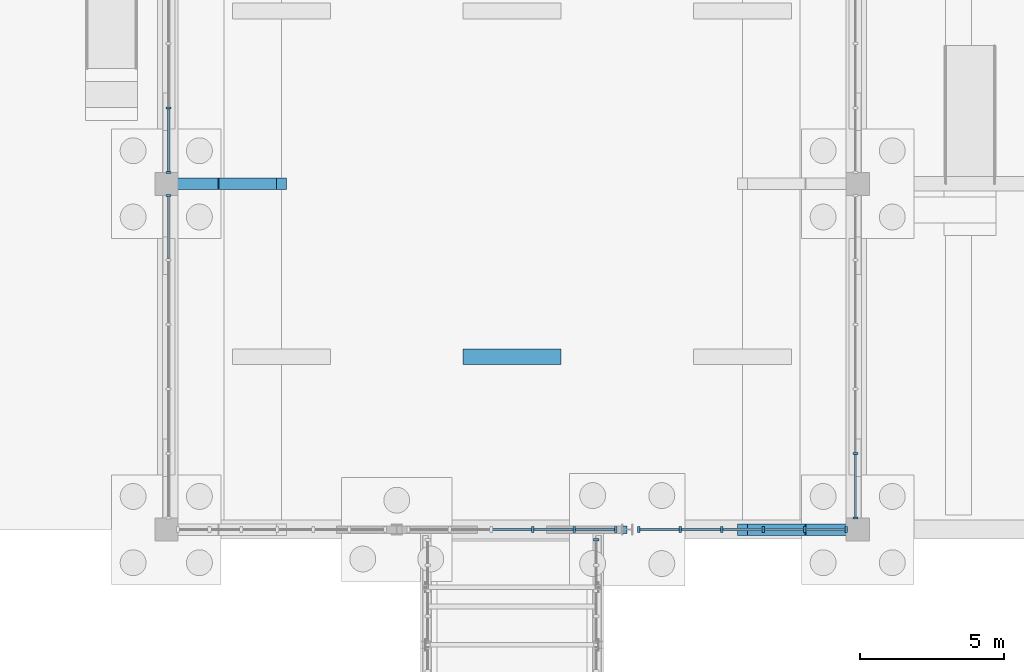
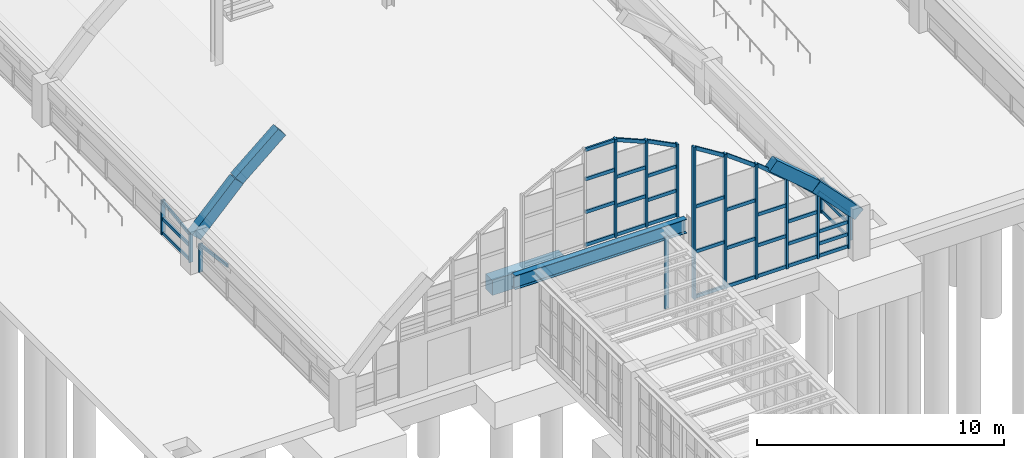
# One storey, part 35 of 129: 54 members, 6 beams, 6 elements without a shape of their own.
"""IFC4 building model written with IfcOpenShell, lengths in metres."""

from ifc_helpers import new_model, si_unit, direction, frame, origin, origin_2d, place, context, subcontext, project, spatial, rectangle, i_section, extrude, material, layer, layer_set, material_profile, profile_set, type_object, element, aggregate, save


model = new_model("IFC4")

# Units and contexts
model_context = context("Model", 3, precision=1e-05, world=origin(), true_north=direction((0.0, 1.0)))
body_context = subcontext(model_context, "Body", "Model", "MODEL_VIEW")
ifc_project = project(units=[si_unit("LENGTHUNIT", "METRE"), si_unit("AREAUNIT", "SQUARE_METRE"), si_unit("VOLUMEUNIT", "CUBIC_METRE"), si_unit("PLANEANGLEUNIT", "RADIAN"), si_unit("MASSUNIT", "GRAM", prefix="KILO")], contexts=[model_context])

# Site, building, storey
site_placement = place(None, origin())
site = spatial("IfcSite", under=ifc_project, at=site_placement, CompositionType="ELEMENT")
building_placement = place(site_placement, origin())
building = spatial("IfcBuilding", under=site, at=building_placement, Name="Sitalva Quay Ferry Terminal", CompositionType="ELEMENT")
storey_placement = place(building_placement, origin())
storey = spatial("IfcBuildingStorey", under=building, at=storey_placement, Name="L01", CompositionType="ELEMENT", Elevation=0.0)

# Beams
ifc_material_1 = material(Name="Concrete C40/50", Category="concrete")
ifc_material_profile_1 = material_profile(ifc_material_1, rectangle(XDim=0.39990234375, YDim=0.550048828125, at=origin_2d()), Name="RC400x550")
ifc_profile_set_1 = profile_set([ifc_material_profile_1], Name="Concrete C40/50")
beam_type_1 = type_object("IfcBeamType", Name="Beam_Arch_RC400x550", PredefinedType="BEAM", material=ifc_profile_set_1)
beam_1_placement = place(storey_placement, frame((28.0, 6.0, 5.392822265625), z_axis=(0.761351968138, 0.0, -0.648338785368), x_axis=(0.0, 1.0, 0.0)))
element("IfcBeam", 1, at=beam_1_placement, inside=storey, type_object=beam_type_1, Name="Vault V2 transverse arch rib 1.11", PredefinedType="BEAM", context=body_context, shape_type="SweptSolid", body=[
    extrude(rectangle(XDim=0.39990234375, YDim=0.550048828125, at=origin_2d()), origin(), (0.0, 0.0, 1.0), 2.626953125),
])
for number, where, z_axis, x_axis, name in (
    (2, (30.0, 6.0, 3.66943359375), (0.693983482825, 0.0, -0.719990920475), (0.0, 1.0, 0.0), "Vault V2 transverse arch rib 1.12"),
    (3, (8.0, 18.0, 1.594482421875), (0.693983482825, 0.0, 0.719990920475), (0.0, 1.0, 0.0), "Vault V2 transverse arch rib 2.1"),
):
    element("IfcBeam", number, at=place(storey_placement, frame(where, z_axis=z_axis, x_axis=x_axis)), inside=storey, type_object=beam_type_1, Name=name, PredefinedType="BEAM", context=body_context, shape_type="SweptSolid", body=[
        extrude(rectangle(XDim=0.39990234375, YDim=0.550048828125, at=origin_2d()), origin(), (0.0, 0.0, 1.0), 2.8818359375),
    ])
beam_2_placement = place(storey_placement, frame((10.0, 18.0, 3.689697265625), z_axis=(0.761351968138, 0.0, 0.648338785368), x_axis=(0.0, 1.0, 0.0)))
element("IfcBeam", 4, at=beam_2_placement, inside=storey, type_object=beam_type_1, Name="Vault V2 transverse arch rib 2.2", PredefinedType="BEAM", context=body_context, shape_type="SweptSolid", body=[
    extrude(rectangle(XDim=0.39990234375, YDim=0.550048828125, at=origin_2d()), origin(), (0.0, 0.0, 1.0), 2.626953125),
])
ifc_material_2 = material(Name="Structural Steel S355JR", Category="steel")
ifc_material_profile_2 = material_profile(ifc_material_2, i_section(OverallWidth=0.256103515625, OverallDepth=0.693115234375, WebThickness=0.014404296875, FlangeThickness=0.023681640625, FilletRadius=0.01806640625, at=origin_2d()), Name="W690x170")
ifc_profile_set_2 = profile_set([ifc_material_profile_2], Name="Structural Steel S355JR")
beam_type_2 = type_object("IfcBeamType", Name="Girder_W690x170", PredefinedType="USERDEFINED", material=ifc_profile_set_2)
beam_3_placement = place(storey_placement, frame((16.0, 6.0, 3.783447265625), z_axis=(1.0, 0.0, 0.0), x_axis=(0.0, 1.0, 0.0)))
element("IfcBeam", 5, at=beam_3_placement, inside=storey, type_object=beam_type_2, Name="L01 V2 south gable portal header 0001", ObjectType="GIRDER", PredefinedType="USERDEFINED", context=body_context, shape_type="SweptSolid", body=[
    extrude(i_section(OverallWidth=0.256103515625, OverallDepth=0.693115234375, WebThickness=0.014404296875, FlangeThickness=0.023681640625, FilletRadius=0.01806640625, at=origin_2d()), origin(), (0.0, 0.0, 1.0), 8.0),
])

# Curtain wall, member
ifc_material_3 = material(Name="Anodised Aluminium & Low-E Glazing", Category="aluminium")
ifc_layer_1 = layer(ifc_material_3, 0.159912109375)
ifc_layer_set_1 = layer_set([ifc_layer_1], Name="Anodised Aluminium & Low-E Glazing")
curtain_wall_type_1 = type_object("IfcCurtainWallType", Name="CW_VaultArch_Glazed", PredefinedType="USERDEFINED", material=ifc_layer_set_1)
curtain_wall_1_placement = place(storey_placement, origin())
curtain_wall_1 = element("IfcCurtainWall", 6, at=curtain_wall_1_placement, inside=storey, type_object=curtain_wall_type_1, Name="V2-W shallow-arch base glazing (CW-L01-012)", ObjectType="CURTAIN_WALL", PredefinedType="USERDEFINED")
ifc_material_4 = material(Name="Anodised Aluminium 6063-T6", Category="aluminium")
ifc_material_profile_3 = material_profile(ifc_material_4, rectangle(XDim=0.070068359375, YDim=0.181884765625, at=origin_2d()), Name="ALU70x182")
ifc_profile_set_3 = profile_set([ifc_material_profile_3], Name="Anodised Aluminium 6063-T6")
member_type_1 = type_object("IfcMemberType", Name="Mullion_Alu_65x170", PredefinedType="MULLION", material=ifc_profile_set_3)
member_1_placement = place(storey_placement, frame((8.080078125, 17.60009765625, 0.0), z_axis=(0.0, 0.0, 1.0), x_axis=(0.0, 1.0, 0.0)))
member_1 = element("IfcMember", 7, at=member_1_placement, type_object=member_type_1, Name="CW-L01-012-M5", PredefinedType="MULLION", context=body_context, shape_type="SweptSolid", body=[
    extrude(rectangle(XDim=0.070068359375, YDim=0.181884765625, at=origin_2d()), origin(), (0.0, 0.0, 1.0), 1.39990234375),
])

# Curtain wall, members
curtain_wall_2_placement = place(storey_placement, origin())
curtain_wall_2 = element("IfcCurtainWall", 8, at=curtain_wall_2_placement, inside=storey, type_object=curtain_wall_type_1, Name="V2-E shallow-arch base glazing (CW-L01-013)", ObjectType="CURTAIN_WALL", PredefinedType="USERDEFINED")
member_2_placement = place(storey_placement, frame((31.919921875, 6.39990234375, 0.0), z_axis=(0.0, 0.0, 1.0), x_axis=(0.0, 1.0, 0.0)))
member_2 = element("IfcMember", 9, at=member_2_placement, type_object=member_type_1, Name="CW-L01-013-M0", PredefinedType="MULLION", context=body_context, shape_type="SweptSolid", body=[
    extrude(rectangle(XDim=0.070068359375, YDim=0.181884765625, at=origin_2d()), origin(), (0.0, 0.0, 1.0), 1.39990234375),
])
member_3_placement = place(storey_placement, frame((31.919921875, 8.639892578125, 0.0), z_axis=(0.0, 0.0, 1.0), x_axis=(0.0, 1.0, 0.0)))
member_3 = element("IfcMember", 10, at=member_3_placement, type_object=member_type_1, Name="CW-L01-013-M1", PredefinedType="MULLION", context=body_context, shape_type="SweptSolid", body=[
    extrude(rectangle(XDim=0.070068359375, YDim=0.181884765625, at=origin_2d()), origin(), (0.0, 0.0, 1.0), 1.707275390625),
])

curtain_wall_3_placement = place(storey_placement, origin())
curtain_wall_3 = element("IfcCurtainWall", 11, at=curtain_wall_3_placement, inside=storey, type_object=curtain_wall_type_1, Name="V2-W shallow-arch base glazing (CW-L01-015)", ObjectType="CURTAIN_WALL", PredefinedType="USERDEFINED")
member_4_placement = place(storey_placement, frame((8.080078125, 18.39990234375, 0.0), z_axis=(0.0, 0.0, 1.0), x_axis=(0.0, 1.0, 0.0)))
member_4 = element("IfcMember", 12, at=member_4_placement, type_object=member_type_1, Name="CW-L01-015-M0", PredefinedType="MULLION", context=body_context, shape_type="SweptSolid", body=[
    extrude(rectangle(XDim=0.070068359375, YDim=0.181884765625, at=origin_2d()), origin(), (0.0, 0.0, 1.0), 1.39990234375),
])
member_5_placement = place(storey_placement, frame((8.080078125, 20.639892578125, 0.0), z_axis=(0.0, 0.0, 1.0), x_axis=(0.0, 1.0, 0.0)))
member_5 = element("IfcMember", 13, at=member_5_placement, type_object=member_type_1, Name="CW-L01-015-M1", PredefinedType="MULLION", context=body_context, shape_type="SweptSolid", body=[
    extrude(rectangle(XDim=0.070068359375, YDim=0.181884765625, at=origin_2d()), origin(), (0.0, 0.0, 1.0), 1.707275390625),
])

# Curtain wall, member
ifc_material_5 = material(Name="Anodised Aluminium & Low-E Glazing", Category="aluminium")
ifc_layer_2 = layer(ifc_material_5, 0.159912109375)
ifc_layer_set_2 = layer_set([ifc_layer_2], Name="Anodised Aluminium & Low-E Glazing")
curtain_wall_type_2 = type_object("IfcCurtainWallType", Name="CW_Bridge_Glazed", PredefinedType="USERDEFINED", material=ifc_layer_set_2)
curtain_wall_4_placement = place(storey_placement, origin())
curtain_wall_4 = element("IfcCurtainWall", 14, at=curtain_wall_4_placement, inside=storey, type_object=curtain_wall_type_2, Name="Boarding bridge BB1 E4 side glazing (CW-L01-040)", ObjectType="CURTAIN_WALL", PredefinedType="USERDEFINED")
ifc_material_6 = material(Name="Anodised Aluminium 6063-T6", Category="aluminium")
ifc_material_profile_4 = material_profile(ifc_material_6, rectangle(XDim=0.080078125, YDim=0.18505859375, at=origin_2d()), Name="ALU80x185")
ifc_profile_set_4 = profile_set([ifc_material_profile_4], Name="Anodised Aluminium 6063-T6")
member_type_2 = type_object("IfcMemberType", Name="Mullion_Alu_80x185", PredefinedType="MULLION", material=ifc_profile_set_4)
member_6_placement = place(storey_placement, frame((22.919921875, 5.64990234375, 0.25), z_axis=(0.0, 0.0, 1.0), x_axis=(0.0, 1.0, 0.0)))
member_6 = element("IfcMember", 15, at=member_6_placement, type_object=member_type_2, Name="CW-L01-040-M4", PredefinedType="MULLION", context=body_context, shape_type="SweptSolid", body=[
    extrude(rectangle(XDim=0.080078125, YDim=0.18505859375, at=origin_2d()), origin(), (0.0, 0.0, 1.0), 3.530029296875),
])
aggregate(curtain_wall_4, [member_6])

# Curtain wall, members
ifc_material_7 = material(Name="Anodised Aluminium & Low-E Glazing", Category="aluminium")
ifc_layer_3 = layer(ifc_material_7, 0.159912109375)
ifc_layer_set_3 = layer_set([ifc_layer_3], Name="Anodised Aluminium & Low-E Glazing")
curtain_wall_type_3 = type_object("IfcCurtainWallType", Name="CW_Gable_Unitised", PredefinedType="USERDEFINED", material=ifc_layer_set_3)
curtain_wall_5_placement = place(storey_placement, origin())
curtain_wall_5 = element("IfcCurtainWall", 16, at=curtain_wall_5_placement, inside=storey, type_object=curtain_wall_type_3, Name="V2 south gable apex glazing (CW-L01-003)", ObjectType="CURTAIN_WALL", PredefinedType="USERDEFINED")
ifc_material_8 = material(Name="Anodised Aluminium 6063-T6", Category="aluminium")
ifc_material_profile_5 = material_profile(ifc_material_8, rectangle(XDim=0.090087890625, YDim=0.199951171875, at=origin_2d()), Name="ALU90x200")
ifc_profile_set_5 = profile_set([ifc_material_profile_5], Name="Anodised Aluminium 6063-T6")
member_type_3 = type_object("IfcMemberType", Name="Mullion_Alu_90x200", PredefinedType="MULLION", material=ifc_profile_set_5)
member_7_placement = place(storey_placement, frame((20.719970703125, 6.0, 4.35009765625), z_axis=(0.0, 0.0, 1.0), x_axis=(1.0, 0.0, 0.0)))
member_7 = element("IfcMember", 17, at=member_7_placement, type_object=member_type_3, Name="CW-L01-003-M3", PredefinedType="MULLION", context=body_context, shape_type="SweptSolid", body=[
    extrude(rectangle(XDim=0.090087890625, YDim=0.199951171875, at=origin_2d()), origin(), (0.0, 0.0, 1.0), 4.85009765625),
])
member_8_placement = place(storey_placement, frame((22.159912109375, 6.0, 4.35009765625), z_axis=(0.0, 0.0, 1.0), x_axis=(1.0, 0.0, 0.0)))
member_8 = element("IfcMember", 18, at=member_8_placement, type_object=member_type_3, Name="CW-L01-003-M4", PredefinedType="MULLION", context=body_context, shape_type="SweptSolid", body=[
    extrude(rectangle(XDim=0.090087890625, YDim=0.199951171875, at=origin_2d()), origin(), (0.0, 0.0, 1.0), 4.27587890625),
])
member_9_placement = place(storey_placement, frame((23.60009765625, 6.0, 4.35009765625), z_axis=(0.0, 0.0, 1.0), x_axis=(1.0, 0.0, 0.0)))
member_9 = element("IfcMember", 19, at=member_9_placement, type_object=member_type_3, Name="CW-L01-003-M5", PredefinedType="MULLION", context=body_context, shape_type="SweptSolid", body=[
    extrude(rectangle(XDim=0.090087890625, YDim=0.199951171875, at=origin_2d()), origin(), (0.0, 0.0, 1.0), 3.582763671875),
])

curtain_wall_6_placement = place(storey_placement, origin())
curtain_wall_6 = element("IfcCurtainWall", 20, at=curtain_wall_6_placement, inside=storey, type_object=curtain_wall_type_3, Name="V2 south gable east pointed glazing (CW-L01-004)", ObjectType="CURTAIN_WALL", PredefinedType="USERDEFINED")
member_10_placement = place(storey_placement, frame((24.39990234375, 6.0, 0.0), z_axis=(0.0, 0.0, 1.0), x_axis=(1.0, 0.0, 0.0)))
member_10 = element("IfcMember", 21, at=member_10_placement, type_object=member_type_3, Name="CW-L01-004-M0", PredefinedType="MULLION", context=body_context, shape_type="SweptSolid", body=[
    extrude(rectangle(XDim=0.090087890625, YDim=0.199951171875, at=origin_2d()), origin(), (0.0, 0.0, 1.0), 7.50634765625),
])
member_11_placement = place(storey_placement, frame((25.840087890625, 6.0, 0.0), z_axis=(0.0, 0.0, 1.0), x_axis=(1.0, 0.0, 0.0)))
member_11 = element("IfcMember", 22, at=member_11_placement, type_object=member_type_3, Name="CW-L01-004-M1", PredefinedType="MULLION", context=body_context, shape_type="SweptSolid", body=[
    extrude(rectangle(XDim=0.090087890625, YDim=0.199951171875, at=origin_2d()), origin(), (0.0, 0.0, 1.0), 6.663330078125),
])
member_12_placement = place(storey_placement, frame((27.280029296875, 6.0, 0.0), z_axis=(0.0, 0.0, 1.0), x_axis=(1.0, 0.0, 0.0)))
member_12 = element("IfcMember", 23, at=member_12_placement, type_object=member_type_3, Name="CW-L01-004-M2", PredefinedType="MULLION", context=body_context, shape_type="SweptSolid", body=[
    extrude(rectangle(XDim=0.090087890625, YDim=0.199951171875, at=origin_2d()), origin(), (0.0, 0.0, 1.0), 5.666259765625),
])
member_13_placement = place(storey_placement, frame((28.719970703125, 6.0, 0.0), z_axis=(0.0, 0.0, 1.0), x_axis=(1.0, 0.0, 0.0)))
member_13 = element("IfcMember", 24, at=member_13_placement, type_object=member_type_3, Name="CW-L01-004-M3", PredefinedType="MULLION", context=body_context, shape_type="SweptSolid", body=[
    extrude(rectangle(XDim=0.090087890625, YDim=0.199951171875, at=origin_2d()), origin(), (0.0, 0.0, 1.0), 4.544677734375),
])
member_14_placement = place(storey_placement, frame((30.159912109375, 6.0, 0.0), z_axis=(0.0, 0.0, 1.0), x_axis=(1.0, 0.0, 0.0)))
member_14 = element("IfcMember", 25, at=member_14_placement, type_object=member_type_3, Name="CW-L01-004-M4", PredefinedType="MULLION", context=body_context, shape_type="SweptSolid", body=[
    extrude(rectangle(XDim=0.090087890625, YDim=0.199951171875, at=origin_2d()), origin(), (0.0, 0.0, 1.0), 3.288818359375),
])
member_15_placement = place(storey_placement, frame((31.60009765625, 6.0, 0.0), z_axis=(0.0, 0.0, 1.0), x_axis=(1.0, 0.0, 0.0)))
member_15 = element("IfcMember", 26, at=member_15_placement, type_object=member_type_3, Name="CW-L01-004-M5", PredefinedType="MULLION", context=body_context, shape_type="SweptSolid", body=[
    extrude(rectangle(XDim=0.090087890625, YDim=0.199951171875, at=origin_2d()), origin(), (0.0, 0.0, 1.0), 1.794921875),
])

# Beam
ifc_material_9 = material(Name="Concrete C35/45", Category="concrete")
ifc_material_profile_6 = material_profile(ifc_material_9, rectangle(XDim=0.550048828125, YDim=0.75, at=origin_2d()), Name="RC550x750")
ifc_profile_set_6 = profile_set([ifc_material_profile_6], Name="Concrete C35/45")
beam_type_3 = type_object("IfcBeamType", Name="TBeam_Quay_RC550x750", PredefinedType="T_BEAM", material=ifc_profile_set_6)
beam_4_placement = place(storey_placement, frame((18.300048828125, 12.0, -0.824951171875), z_axis=(1.0, 0.0, 0.0), x_axis=(0.0, 1.0, 0.0)))
element("IfcBeam", 27, at=beam_4_placement, inside=storey, type_object=beam_type_3, Name="L01 Quay deck mid-bay T-beam 0036", PredefinedType="T_BEAM", context=body_context, shape_type="SweptSolid", body=[
    extrude(rectangle(XDim=0.550048828125, YDim=0.75, at=origin_2d()), origin(), (0.0, 0.0, 1.0), 3.39990234375),
])

# Member
ifc_material_10 = material(Name="Anodised Aluminium 6063-T6", Category="aluminium")
ifc_material_profile_7 = material_profile(ifc_material_10, rectangle(XDim=0.074951171875, YDim=0.155029296875, at=origin_2d()), Name="ALU75x155")
ifc_profile_set_7 = profile_set([ifc_material_profile_7], Name="Anodised Aluminium 6063-T6")
member_type_4 = type_object("IfcMemberType", Name="Transom_Alu_70x135", PredefinedType="MULLION", material=ifc_profile_set_7)
member_16_placement = place(storey_placement, frame((8.080078125, 15.39501953125, 1.629638671875), z_axis=(0.0, 0.990131365095, -0.140142355681), x_axis=(-1.0, 0.0, 0.0)))
member_16 = element("IfcMember", 28, at=member_16_placement, type_object=member_type_4, Name="CW-L01-012-T4-2", ObjectType="TRANSOM", PredefinedType="USERDEFINED", context=body_context, shape_type="SweptSolid", body=[
    extrude(rectangle(XDim=0.074951171875, YDim=0.155029296875, at=origin_2d()), origin(), (0.0, 0.0, 1.0), 2.191650390625),
])

aggregate(curtain_wall_1, [member_1, member_16])

member_17_placement = place(storey_placement, frame((31.919921875, 6.43505859375, 0.077392578125), z_axis=(0.0, 1.0, 0.0), x_axis=(-1.0, 0.0, 0.0)))
member_17 = element("IfcMember", 29, at=member_17_placement, type_object=member_type_4, Name="CW-L01-013-T0-0", ObjectType="TRANSOM", PredefinedType="USERDEFINED", context=body_context, shape_type="SweptSolid", body=[
    extrude(rectangle(XDim=0.074951171875, YDim=0.155029296875, at=origin_2d()), origin(), (0.0, 0.0, 1.0), 2.169921875),
])

member_18_placement = place(storey_placement, frame((31.919921875, 6.43505859375, 0.777587890625), z_axis=(0.0, 1.0, 0.0), x_axis=(-1.0, 0.0, 0.0)))
member_18 = element("IfcMember", 30, at=member_18_placement, type_object=member_type_4, Name="CW-L01-013-T0-1", ObjectType="TRANSOM", PredefinedType="USERDEFINED", context=body_context, shape_type="SweptSolid", body=[
    extrude(rectangle(XDim=0.074951171875, YDim=0.155029296875, at=origin_2d()), origin(), (0.0, 0.0, 1.0), 2.169921875),
])

member_19_placement = place(storey_placement, frame((31.919921875, 6.43505859375, 1.322509765625), z_axis=(0.0, 0.990131365095, 0.140142355681), x_axis=(-1.0, 0.0, 0.0)))
member_19 = element("IfcMember", 31, at=member_19_placement, type_object=member_type_4, Name="CW-L01-013-T0-2", ObjectType="TRANSOM", PredefinedType="USERDEFINED", context=body_context, shape_type="SweptSolid", body=[
    extrude(rectangle(XDim=0.074951171875, YDim=0.155029296875, at=origin_2d()), origin(), (0.0, 0.0, 1.0), 2.191650390625),
])

aggregate(curtain_wall_2, [member_2, member_3, member_17, member_18, member_19])

member_20_placement = place(storey_placement, frame((8.080078125, 18.43505859375, 0.077392578125), z_axis=(0.0, 1.0, 0.0), x_axis=(-1.0, 0.0, 0.0)))
member_20 = element("IfcMember", 32, at=member_20_placement, type_object=member_type_4, Name="CW-L01-015-T0-0", ObjectType="TRANSOM", PredefinedType="USERDEFINED", context=body_context, shape_type="SweptSolid", body=[
    extrude(rectangle(XDim=0.074951171875, YDim=0.155029296875, at=origin_2d()), origin(), (0.0, 0.0, 1.0), 2.169921875),
])

member_21_placement = place(storey_placement, frame((8.080078125, 18.43505859375, 0.777587890625), z_axis=(0.0, 1.0, 0.0), x_axis=(-1.0, 0.0, 0.0)))
member_21 = element("IfcMember", 33, at=member_21_placement, type_object=member_type_4, Name="CW-L01-015-T0-1", ObjectType="TRANSOM", PredefinedType="USERDEFINED", context=body_context, shape_type="SweptSolid", body=[
    extrude(rectangle(XDim=0.074951171875, YDim=0.155029296875, at=origin_2d()), origin(), (0.0, 0.0, 1.0), 2.169921875),
])

member_22_placement = place(storey_placement, frame((8.080078125, 18.43505859375, 1.322509765625), z_axis=(0.0, 0.990131365095, 0.140142355681), x_axis=(-1.0, 0.0, 0.0)))
member_22 = element("IfcMember", 34, at=member_22_placement, type_object=member_type_4, Name="CW-L01-015-T0-2", ObjectType="TRANSOM", PredefinedType="USERDEFINED", context=body_context, shape_type="SweptSolid", body=[
    extrude(rectangle(XDim=0.074951171875, YDim=0.155029296875, at=origin_2d()), origin(), (0.0, 0.0, 1.0), 2.191650390625),
])

aggregate(curtain_wall_3, [member_4, member_5, member_20, member_21, member_22])

ifc_material_11 = material(Name="Anodised Aluminium 6063-T6", Category="aluminium")
ifc_material_profile_8 = material_profile(ifc_material_11, rectangle(XDim=0.080078125, YDim=0.1650390625, at=origin_2d()), Name="ALU80x165")
ifc_profile_set_8 = profile_set([ifc_material_profile_8], Name="Anodised Aluminium 6063-T6")
member_type_5 = type_object("IfcMemberType", Name="Transom_Alu_80x165", PredefinedType="MULLION", material=ifc_profile_set_8)
member_23_placement = place(storey_placement, frame((19.324951171875, 6.0, 4.4326171875), z_axis=(1.0, 0.0, 0.0), x_axis=(0.0, 1.0, 0.0)))
member_23 = element("IfcMember", 35, at=member_23_placement, type_object=member_type_5, Name="CW-L01-003-T2-0", ObjectType="TRANSOM", PredefinedType="USERDEFINED", context=body_context, shape_type="SweptSolid", body=[
    extrude(rectangle(XDim=0.080078125, YDim=0.1650390625, at=origin_2d()), origin(), (0.0, 0.0, 1.0), 1.35009765625),
])

member_24_placement = place(storey_placement, frame((19.324951171875, 6.0, 6.04931640625), z_axis=(1.0, 0.0, 0.0), x_axis=(0.0, 1.0, 0.0)))
member_24 = element("IfcMember", 36, at=member_24_placement, type_object=member_type_5, Name="CW-L01-003-T2-1", ObjectType="TRANSOM", PredefinedType="USERDEFINED", context=body_context, shape_type="SweptSolid", body=[
    extrude(rectangle(XDim=0.080078125, YDim=0.1650390625, at=origin_2d()), origin(), (0.0, 0.0, 1.0), 1.35009765625),
])

member_25_placement = place(storey_placement, frame((19.324951171875, 6.0, 7.666015625), z_axis=(1.0, 0.0, 0.0), x_axis=(0.0, 1.0, 0.0)))
member_25 = element("IfcMember", 37, at=member_25_placement, type_object=member_type_5, Name="CW-L01-003-T2-2", ObjectType="TRANSOM", PredefinedType="USERDEFINED", context=body_context, shape_type="SweptSolid", body=[
    extrude(rectangle(XDim=0.080078125, YDim=0.1650390625, at=origin_2d()), origin(), (0.0, 0.0, 1.0), 1.35009765625),
])

member_26_placement = place(storey_placement, frame((19.324951171875, 6.0, 9.11767578125), z_axis=(1.0, 0.0, 0.0), x_axis=(0.0, 1.0, 0.0)))
member_26 = element("IfcMember", 38, at=member_26_placement, type_object=member_type_5, Name="CW-L01-003-T2-3", ObjectType="TRANSOM", PredefinedType="USERDEFINED", context=body_context, shape_type="SweptSolid", body=[
    extrude(rectangle(XDim=0.080078125, YDim=0.1650390625, at=origin_2d()), origin(), (0.0, 0.0, 1.0), 1.35009765625),
])

member_27_placement = place(storey_placement, frame((20.764892578125, 6.0, 4.4326171875), z_axis=(1.0, 0.0, 0.0), x_axis=(0.0, 1.0, 0.0)))
member_27 = element("IfcMember", 39, at=member_27_placement, type_object=member_type_5, Name="CW-L01-003-T3-0", ObjectType="TRANSOM", PredefinedType="USERDEFINED", context=body_context, shape_type="SweptSolid", body=[
    extrude(rectangle(XDim=0.080078125, YDim=0.1650390625, at=origin_2d()), origin(), (0.0, 0.0, 1.0), 1.35009765625),
])

member_28_placement = place(storey_placement, frame((20.764892578125, 6.0, 5.85791015625), z_axis=(1.0, 0.0, 0.0), x_axis=(0.0, 1.0, 0.0)))
member_28 = element("IfcMember", 40, at=member_28_placement, type_object=member_type_5, Name="CW-L01-003-T3-1", ObjectType="TRANSOM", PredefinedType="USERDEFINED", context=body_context, shape_type="SweptSolid", body=[
    extrude(rectangle(XDim=0.080078125, YDim=0.1650390625, at=origin_2d()), origin(), (0.0, 0.0, 1.0), 1.35009765625),
])

member_29_placement = place(storey_placement, frame((20.764892578125, 6.0, 7.283203125), z_axis=(1.0, 0.0, 0.0), x_axis=(0.0, 1.0, 0.0)))
member_29 = element("IfcMember", 41, at=member_29_placement, type_object=member_type_5, Name="CW-L01-003-T3-2", ObjectType="TRANSOM", PredefinedType="USERDEFINED", context=body_context, shape_type="SweptSolid", body=[
    extrude(rectangle(XDim=0.080078125, YDim=0.1650390625, at=origin_2d()), origin(), (0.0, 0.0, 1.0), 1.35009765625),
])

member_30_placement = place(storey_placement, frame((20.764892578125, 6.0, 9.11767578125), z_axis=(0.920226055692, 0.0, -0.391387284446), x_axis=(0.0, 1.0, 0.0)))
member_30 = element("IfcMember", 42, at=member_30_placement, type_object=member_type_5, Name="CW-L01-003-T3-3", ObjectType="TRANSOM", PredefinedType="USERDEFINED", context=body_context, shape_type="SweptSolid", body=[
    extrude(rectangle(XDim=0.080078125, YDim=0.1650390625, at=origin_2d()), origin(), (0.0, 0.0, 1.0), 1.467041015625),
])

member_31_placement = place(storey_placement, frame((22.205078125, 6.0, 4.4326171875), z_axis=(1.0, 0.0, 0.0), x_axis=(0.0, 1.0, 0.0)))
member_31 = element("IfcMember", 43, at=member_31_placement, type_object=member_type_5, Name="CW-L01-003-T4-0", ObjectType="TRANSOM", PredefinedType="USERDEFINED", context=body_context, shape_type="SweptSolid", body=[
    extrude(rectangle(XDim=0.080078125, YDim=0.1650390625, at=origin_2d()), origin(), (0.0, 0.0, 1.0), 1.349853515625),
])

member_32_placement = place(storey_placement, frame((22.205078125, 6.0, 5.626708984375), z_axis=(1.0, 0.0, 0.0), x_axis=(0.0, 1.0, 0.0)))
member_32 = element("IfcMember", 44, at=member_32_placement, type_object=member_type_5, Name="CW-L01-003-T4-1", ObjectType="TRANSOM", PredefinedType="USERDEFINED", context=body_context, shape_type="SweptSolid", body=[
    extrude(rectangle(XDim=0.080078125, YDim=0.1650390625, at=origin_2d()), origin(), (0.0, 0.0, 1.0), 1.349853515625),
])

member_33_placement = place(storey_placement, frame((22.205078125, 6.0, 6.821044921875), z_axis=(1.0, 0.0, 0.0), x_axis=(0.0, 1.0, 0.0)))
member_33 = element("IfcMember", 45, at=member_33_placement, type_object=member_type_5, Name="CW-L01-003-T4-2", ObjectType="TRANSOM", PredefinedType="USERDEFINED", context=body_context, shape_type="SweptSolid", body=[
    extrude(rectangle(XDim=0.080078125, YDim=0.1650390625, at=origin_2d()), origin(), (0.0, 0.0, 1.0), 1.349853515625),
])

member_34_placement = place(storey_placement, frame((22.205078125, 6.0, 8.54345703125), z_axis=(0.889581154041, 0.0, -0.456777156144), x_axis=(0.0, 1.0, 0.0)))
member_34 = element("IfcMember", 46, at=member_34_placement, type_object=member_type_5, Name="CW-L01-003-T4-3", ObjectType="TRANSOM", PredefinedType="USERDEFINED", context=body_context, shape_type="SweptSolid", body=[
    extrude(rectangle(XDim=0.080078125, YDim=0.1650390625, at=origin_2d()), origin(), (0.0, 0.0, 1.0), 1.517333984375),
])

aggregate(curtain_wall_5, [member_7, member_8, member_9, member_23, member_24, member_25, member_26, member_27, member_28, member_29, member_30, member_31, member_32, member_33, member_34])

member_35_placement = place(storey_placement, frame((24.445068359375, 6.0, 0.08251953125), z_axis=(1.0, 0.0, 0.0), x_axis=(0.0, 1.0, 0.0)))
member_35 = element("IfcMember", 47, at=member_35_placement, type_object=member_type_5, Name="CW-L01-004-T0-0", ObjectType="TRANSOM", PredefinedType="USERDEFINED", context=body_context, shape_type="SweptSolid", body=[
    extrude(rectangle(XDim=0.080078125, YDim=0.1650390625, at=origin_2d()), origin(), (0.0, 0.0, 1.0), 1.349853515625),
])

member_36_placement = place(storey_placement, frame((24.445068359375, 6.0, 2.3037109375), z_axis=(1.0, 0.0, 0.0), x_axis=(0.0, 1.0, 0.0)))
member_36 = element("IfcMember", 48, at=member_36_placement, type_object=member_type_5, Name="CW-L01-004-T0-1", ObjectType="TRANSOM", PredefinedType="USERDEFINED", context=body_context, shape_type="SweptSolid", body=[
    extrude(rectangle(XDim=0.080078125, YDim=0.1650390625, at=origin_2d()), origin(), (0.0, 0.0, 1.0), 1.349853515625),
])

member_37_placement = place(storey_placement, frame((24.445068359375, 6.0, 4.524658203125), z_axis=(1.0, 0.0, 0.0), x_axis=(0.0, 1.0, 0.0)))
member_37 = element("IfcMember", 49, at=member_37_placement, type_object=member_type_5, Name="CW-L01-004-T0-2", ObjectType="TRANSOM", PredefinedType="USERDEFINED", context=body_context, shape_type="SweptSolid", body=[
    extrude(rectangle(XDim=0.080078125, YDim=0.1650390625, at=origin_2d()), origin(), (0.0, 0.0, 1.0), 1.349853515625),
])

member_38_placement = place(storey_placement, frame((24.445068359375, 6.0, 7.423828125), z_axis=(0.848179238629, 0.0, -0.529709334597), x_axis=(0.0, 1.0, 0.0)))
member_38 = element("IfcMember", 50, at=member_38_placement, type_object=member_type_5, Name="CW-L01-004-T0-3", ObjectType="TRANSOM", PredefinedType="USERDEFINED", context=body_context, shape_type="SweptSolid", body=[
    extrude(rectangle(XDim=0.080078125, YDim=0.1650390625, at=origin_2d()), origin(), (0.0, 0.0, 1.0), 1.591552734375),
])

member_39_placement = place(storey_placement, frame((25.885009765625, 6.0, 0.08251953125), z_axis=(1.0, 0.0, 0.0), x_axis=(0.0, 1.0, 0.0)))
member_39 = element("IfcMember", 51, at=member_39_placement, type_object=member_type_5, Name="CW-L01-004-T1-0", ObjectType="TRANSOM", PredefinedType="USERDEFINED", context=body_context, shape_type="SweptSolid", body=[
    extrude(rectangle(XDim=0.080078125, YDim=0.1650390625, at=origin_2d()), origin(), (0.0, 0.0, 1.0), 1.35009765625),
])

member_40_placement = place(storey_placement, frame((25.885009765625, 6.0, 1.97119140625), z_axis=(1.0, 0.0, 0.0), x_axis=(0.0, 1.0, 0.0)))
member_40 = element("IfcMember", 52, at=member_40_placement, type_object=member_type_5, Name="CW-L01-004-T1-1", ObjectType="TRANSOM", PredefinedType="USERDEFINED", context=body_context, shape_type="SweptSolid", body=[
    extrude(rectangle(XDim=0.080078125, YDim=0.1650390625, at=origin_2d()), origin(), (0.0, 0.0, 1.0), 1.35009765625),
])

member_41_placement = place(storey_placement, frame((25.885009765625, 6.0, 3.85986328125), z_axis=(1.0, 0.0, 0.0), x_axis=(0.0, 1.0, 0.0)))
member_41 = element("IfcMember", 53, at=member_41_placement, type_object=member_type_5, Name="CW-L01-004-T1-2", ObjectType="TRANSOM", PredefinedType="USERDEFINED", context=body_context, shape_type="SweptSolid", body=[
    extrude(rectangle(XDim=0.080078125, YDim=0.1650390625, at=origin_2d()), origin(), (0.0, 0.0, 1.0), 1.35009765625),
])

member_42_placement = place(storey_placement, frame((25.885009765625, 6.0, 6.580810546875), z_axis=(0.804411878058, 0.0, -0.594071990956), x_axis=(0.0, 1.0, 0.0)))
member_42 = element("IfcMember", 54, at=member_42_placement, type_object=member_type_5, Name="CW-L01-004-T1-3", ObjectType="TRANSOM", PredefinedType="USERDEFINED", context=body_context, shape_type="SweptSolid", body=[
    extrude(rectangle(XDim=0.080078125, YDim=0.1650390625, at=origin_2d()), origin(), (0.0, 0.0, 1.0), 1.678466796875),
])

member_43_placement = place(storey_placement, frame((27.324951171875, 6.0, 0.08251953125), z_axis=(1.0, 0.0, 0.0), x_axis=(0.0, 1.0, 0.0)))
member_43 = element("IfcMember", 55, at=member_43_placement, type_object=member_type_5, Name="CW-L01-004-T2-0", ObjectType="TRANSOM", PredefinedType="USERDEFINED", context=body_context, shape_type="SweptSolid", body=[
    extrude(rectangle(XDim=0.080078125, YDim=0.1650390625, at=origin_2d()), origin(), (0.0, 0.0, 1.0), 1.35009765625),
])

member_44_placement = place(storey_placement, frame((27.324951171875, 6.0, 1.597412109375), z_axis=(1.0, 0.0, 0.0), x_axis=(0.0, 1.0, 0.0)))
member_44 = element("IfcMember", 56, at=member_44_placement, type_object=member_type_5, Name="CW-L01-004-T2-1", ObjectType="TRANSOM", PredefinedType="USERDEFINED", context=body_context, shape_type="SweptSolid", body=[
    extrude(rectangle(XDim=0.080078125, YDim=0.1650390625, at=origin_2d()), origin(), (0.0, 0.0, 1.0), 1.35009765625),
])

member_45_placement = place(storey_placement, frame((27.324951171875, 6.0, 3.1123046875), z_axis=(1.0, 0.0, 0.0), x_axis=(0.0, 1.0, 0.0)))
member_45 = element("IfcMember", 57, at=member_45_placement, type_object=member_type_5, Name="CW-L01-004-T2-2", ObjectType="TRANSOM", PredefinedType="USERDEFINED", context=body_context, shape_type="SweptSolid", body=[
    extrude(rectangle(XDim=0.080078125, YDim=0.1650390625, at=origin_2d()), origin(), (0.0, 0.0, 1.0), 1.35009765625),
])

member_46_placement = place(storey_placement, frame((27.324951171875, 6.0, 5.583740234375), z_axis=(0.76920089134, 0.0, -0.639007033421), x_axis=(0.0, 1.0, 0.0)))
member_46 = element("IfcMember", 58, at=member_46_placement, type_object=member_type_5, Name="CW-L01-004-T2-3", ObjectType="TRANSOM", PredefinedType="USERDEFINED", context=body_context, shape_type="SweptSolid", body=[
    extrude(rectangle(XDim=0.080078125, YDim=0.1650390625, at=origin_2d()), origin(), (0.0, 0.0, 1.0), 1.755126953125),
])

member_47_placement = place(storey_placement, frame((28.764892578125, 6.0, 0.08251953125), z_axis=(1.0, 0.0, 0.0), x_axis=(0.0, 1.0, 0.0)))
member_47 = element("IfcMember", 59, at=member_47_placement, type_object=member_type_5, Name="CW-L01-004-T3-0", ObjectType="TRANSOM", PredefinedType="USERDEFINED", context=body_context, shape_type="SweptSolid", body=[
    extrude(rectangle(XDim=0.080078125, YDim=0.1650390625, at=origin_2d()), origin(), (0.0, 0.0, 1.0), 1.35009765625),
])

member_48_placement = place(storey_placement, frame((28.764892578125, 6.0, 1.1787109375), z_axis=(1.0, 0.0, 0.0), x_axis=(0.0, 1.0, 0.0)))
member_48 = element("IfcMember", 60, at=member_48_placement, type_object=member_type_5, Name="CW-L01-004-T3-1", ObjectType="TRANSOM", PredefinedType="USERDEFINED", context=body_context, shape_type="SweptSolid", body=[
    extrude(rectangle(XDim=0.080078125, YDim=0.1650390625, at=origin_2d()), origin(), (0.0, 0.0, 1.0), 1.35009765625),
])

member_49_placement = place(storey_placement, frame((28.764892578125, 6.0, 2.275146484375), z_axis=(1.0, 0.0, 0.0), x_axis=(0.0, 1.0, 0.0)))
member_49 = element("IfcMember", 61, at=member_49_placement, type_object=member_type_5, Name="CW-L01-004-T3-2", ObjectType="TRANSOM", PredefinedType="USERDEFINED", context=body_context, shape_type="SweptSolid", body=[
    extrude(rectangle(XDim=0.080078125, YDim=0.1650390625, at=origin_2d()), origin(), (0.0, 0.0, 1.0), 1.35009765625),
])

member_50_placement = place(storey_placement, frame((28.764892578125, 6.0, 4.462158203125), z_axis=(0.732199022638, 0.0, -0.681090736428), x_axis=(0.0, 1.0, 0.0)))
member_50 = element("IfcMember", 62, at=member_50_placement, type_object=member_type_5, Name="CW-L01-004-T3-3", ObjectType="TRANSOM", PredefinedType="USERDEFINED", context=body_context, shape_type="SweptSolid", body=[
    extrude(rectangle(XDim=0.080078125, YDim=0.1650390625, at=origin_2d()), origin(), (0.0, 0.0, 1.0), 1.843994140625),
])

member_51_placement = place(storey_placement, frame((30.205078125, 6.0, 0.08251953125), z_axis=(1.0, 0.0, 0.0), x_axis=(0.0, 1.0, 0.0)))
member_51 = element("IfcMember", 63, at=member_51_placement, type_object=member_type_5, Name="CW-L01-004-T4-0", ObjectType="TRANSOM", PredefinedType="USERDEFINED", context=body_context, shape_type="SweptSolid", body=[
    extrude(rectangle(XDim=0.080078125, YDim=0.1650390625, at=origin_2d()), origin(), (0.0, 0.0, 1.0), 1.349853515625),
])

member_52_placement = place(storey_placement, frame((30.205078125, 6.0, 0.680908203125), z_axis=(1.0, 0.0, 0.0), x_axis=(0.0, 1.0, 0.0)))
member_52 = element("IfcMember", 64, at=member_52_placement, type_object=member_type_5, Name="CW-L01-004-T4-1", ObjectType="TRANSOM", PredefinedType="USERDEFINED", context=body_context, shape_type="SweptSolid", body=[
    extrude(rectangle(XDim=0.080078125, YDim=0.1650390625, at=origin_2d()), origin(), (0.0, 0.0, 1.0), 1.349853515625),
])

member_53_placement = place(storey_placement, frame((30.205078125, 6.0, 1.279052734375), z_axis=(1.0, 0.0, 0.0), x_axis=(0.0, 1.0, 0.0)))
member_53 = element("IfcMember", 65, at=member_53_placement, type_object=member_type_5, Name="CW-L01-004-T4-2", ObjectType="TRANSOM", PredefinedType="USERDEFINED", context=body_context, shape_type="SweptSolid", body=[
    extrude(rectangle(XDim=0.080078125, YDim=0.1650390625, at=origin_2d()), origin(), (0.0, 0.0, 1.0), 1.349853515625),
])

member_54_placement = place(storey_placement, frame((30.205078125, 6.0, 3.206298828125), z_axis=(0.670430572525, 0.0, -0.741972268635), x_axis=(0.0, 1.0, 0.0)))
member_54 = element("IfcMember", 66, at=member_54_placement, type_object=member_type_5, Name="CW-L01-004-T4-3", ObjectType="TRANSOM", PredefinedType="USERDEFINED", context=body_context, shape_type="SweptSolid", body=[
    extrude(rectangle(XDim=0.080078125, YDim=0.1650390625, at=origin_2d()), origin(), (0.0, 0.0, 1.0), 2.013427734375),
])

aggregate(curtain_wall_6, [member_10, member_11, member_12, member_13, member_14, member_15, member_35, member_36, member_37, member_38, member_39, member_40, member_41, member_42, member_43, member_44, member_45, member_46, member_47, member_48, member_49, member_50, member_51, member_52, member_53, member_54])

save(model, "model.ifc")
